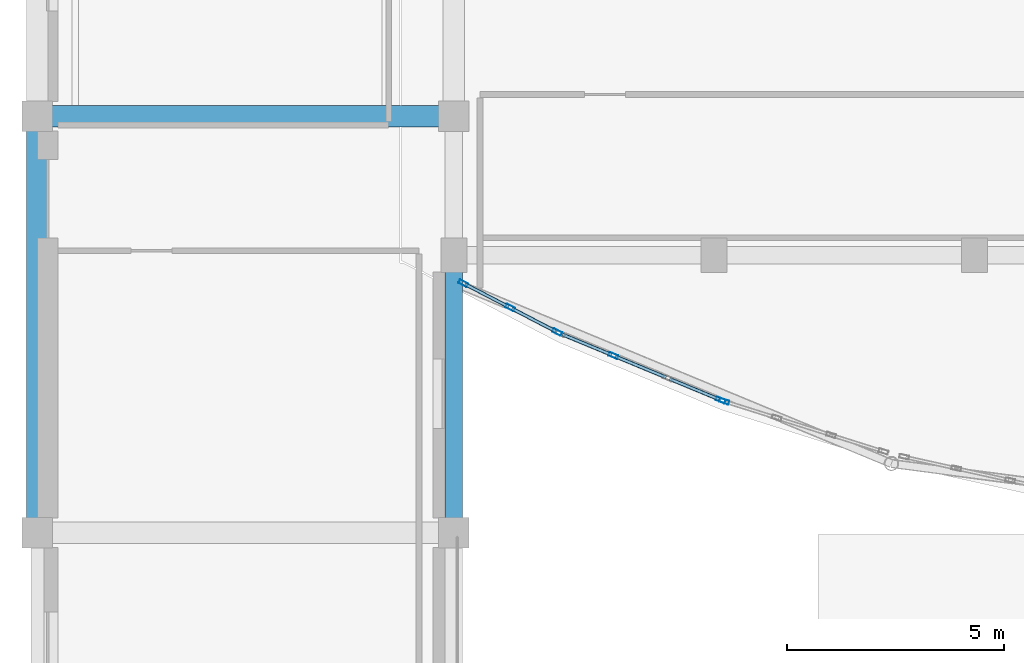
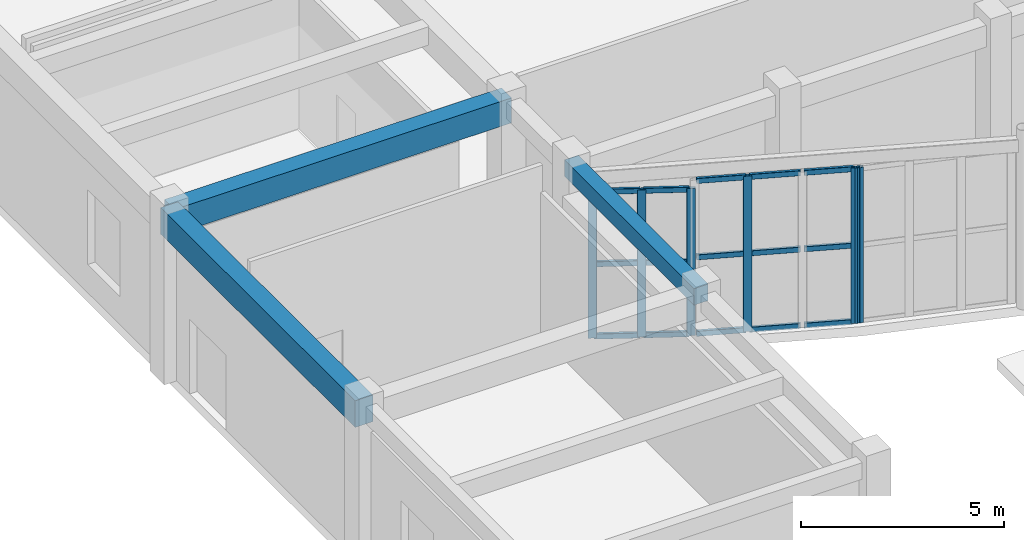
# One storey, part 8 of 98: 21 members, 3 beams, 3 elements without a shape of their own.
"""IFC4 building model written with IfcOpenShell, lengths in metres."""

from ifc_helpers import new_model, si_unit, direction, frame, origin, origin_2d, place, context, subcontext, project, spatial, rectangle, hollow_rectangle, extrude, material, layer, layer_set, material_profile, profile_set, type_object, element, aggregate, save


model = new_model("IFC4")

# Units and contexts
model_context = context("Model", 3, precision=1e-05, world=origin(), true_north=direction((0.0, 1.0)))
body_context = subcontext(model_context, "Body", "Model", "MODEL_VIEW")
ifc_project = project(units=[si_unit("LENGTHUNIT", "METRE"), si_unit("AREAUNIT", "SQUARE_METRE"), si_unit("VOLUMEUNIT", "CUBIC_METRE"), si_unit("PLANEANGLEUNIT", "RADIAN"), si_unit("MASSUNIT", "GRAM", prefix="KILO")], contexts=[model_context])

# Site, building, storey
site_placement = place(None, origin())
site = spatial("IfcSite", under=ifc_project, at=site_placement, CompositionType="ELEMENT")
building_placement = place(site_placement, origin())
building = spatial("IfcBuilding", under=site, at=building_placement, Name="Tarnavel Promenade Courthouse", CompositionType="ELEMENT")
storey_placement = place(building_placement, origin())
storey = spatial("IfcBuildingStorey", under=building, at=storey_placement, Name="L01", CompositionType="ELEMENT", Elevation=0.0)

# Beams
ifc_material_1 = material(Name="Concrete C40/50", Category="concrete")
ifc_material_profile_1 = material_profile(ifc_material_1, rectangle(XDim=0.5, YDim=0.800048828125, at=origin_2d()), Name="PT 500x800")
ifc_profile_set_1 = profile_set([ifc_material_profile_1], Name="Concrete C40/50")
beam_type_1 = type_object("IfcBeamType", Name="Concrete C40/50 BM-PT-500x800 (PT 500x800)", PredefinedType="T_BEAM", material=ifc_profile_set_1)
beam_1_placement = place(storey_placement, frame((0.0, 8.39990234375, 4.695068359375), z_axis=(0.0, 1.0, 0.0), x_axis=(-1.0, 0.0, 0.0)))
element("IfcBeam", 1, at=beam_1_placement, inside=storey, type_object=beam_type_1, Name="L01 Transverse Girder 0736", PredefinedType="T_BEAM", context=body_context, shape_type="SweptSolid", body=[
    extrude(rectangle(XDim=0.5, YDim=0.800048828125, at=origin_2d()), origin(), (0.0, 0.0, 1.0), 9.60009765625),
])
ifc_material_profile_2 = material_profile(ifc_material_1, rectangle(XDim=0.39990234375, YDim=0.5, at=origin_2d()), Name="RC 400x500")
ifc_profile_set_2 = profile_set([ifc_material_profile_2], Name="Concrete C40/50")
beam_type_2 = type_object("IfcBeamType", Name="Concrete C40/50 BM-RC-400x500 (RC 400x500)", PredefinedType="BEAM", material=ifc_profile_set_2)
beam_2_placement = place(storey_placement, frame((9.60009765625, 8.39990234375, 4.844970703125), z_axis=(0.0, 1.0, 0.0), x_axis=(-1.0, 0.0, 0.0)))
element("IfcBeam", 2, at=beam_2_placement, inside=storey, type_object=beam_type_2, Name="L01 Transverse Girder 0747", PredefinedType="BEAM", context=body_context, shape_type="SweptSolid", body=[
    extrude(rectangle(XDim=0.39990234375, YDim=0.5, at=origin_2d()), origin(), (0.0, 0.0, 1.0), 6.400146484375),
])
ifc_material_profile_3 = material_profile(ifc_material_1, rectangle(XDim=0.5, YDim=0.75, at=origin_2d()), Name="RC 500x750")
ifc_profile_set_3 = profile_set([ifc_material_profile_3], Name="Concrete C40/50")
beam_type_3 = type_object("IfcBeamType", Name="Concrete C40/50 BM-RC-500x750 (RC 500x750)", PredefinedType="T_BEAM", material=ifc_profile_set_3)
beam_3_placement = place(storey_placement, frame((0.0, 18.0, 4.719970703125), z_axis=(1.0, 0.0, 0.0), x_axis=(0.0, 1.0, 0.0)))
element("IfcBeam", 3, at=beam_3_placement, inside=storey, type_object=beam_type_3, Name="L01 Primary Longitudinal Beam 0587", PredefinedType="T_BEAM", context=body_context, shape_type="SweptSolid", body=[
    extrude(rectangle(XDim=0.5, YDim=0.75, at=origin_2d()), origin(), (0.0, 0.0, 1.0), 9.60009765625),
])

# Curtain wall, members
ifc_material_2 = material(Name="Thermally Broken Anodised Aluminium Curtain Wall System", Category="aluminium")
ifc_layer = layer(ifc_material_2, 0.219970703125)
ifc_layer_set = layer_set([ifc_layer], Name="Thermally Broken Anodised Aluminium Curtain Wall System")
curtain_wall_type = type_object("IfcCurtainWallType", Name="Thermally Broken Aluminium Triple-Glazed Curtain Wall CW-DRUM", PredefinedType="NOTDEFINED", material=ifc_layer_set)
curtain_wall_1_placement = place(storey_placement, origin())
curtain_wall_1 = element("IfcCurtainWall", 4, at=curtain_wall_1_placement, inside=storey, type_object=curtain_wall_type, Name="L01 Public Hall Drum Curtain Wall 001", PredefinedType="NOTDEFINED")
ifc_material_3 = material(Name="Thermally Broken Anodised Aluminium Frame", Category="aluminium")
ifc_material_profile_4 = material_profile(ifc_material_3, hollow_rectangle(XDim=0.090087890625, YDim=0.219970703125, WallThickness=0.0048828125, InnerFilletRadius=0.0048828125, OuterFilletRadius=0.010009765625, at=origin_2d()), Name="CWM 220x90x5")
ifc_profile_set_4 = profile_set([ifc_material_profile_4], Name="Thermally Broken Anodised Aluminium Frame")
member_type_1 = type_object("IfcMemberType", Name="Thermally Broken Anodised Aluminium CWM-175 (CWM 220x90x5)", PredefinedType="MULLION", material=ifc_profile_set_4)
member_1_placement = place(storey_placement, frame((9.820068359375, 14.15087890625, 0.0), z_axis=(0.0, 0.0, 1.0), x_axis=(0.46174807619, 0.887011112746, 0.0)))
member_1 = element("IfcMember", 5, at=member_1_placement, type_object=member_type_1, Name="CW-01 mullion 1", PredefinedType="MULLION", context=body_context, shape_type="SweptSolid", body=[
    extrude(hollow_rectangle(XDim=0.090087890625, YDim=0.219970703125, WallThickness=0.0048828125, InnerFilletRadius=0.0048828125, OuterFilletRadius=0.010009765625, at=origin_2d()), origin(), (0.0, 0.0, 1.0), 4.429931640625),
])
member_2_placement = place(storey_placement, frame((10.90087890625, 13.588134765625, 0.0), z_axis=(0.0, 0.0, 1.0), x_axis=(0.46174807619, 0.887011112746, 0.0)))
member_2 = element("IfcMember", 6, at=member_2_placement, type_object=member_type_1, Name="CW-01 mullion 2", PredefinedType="MULLION", context=body_context, shape_type="SweptSolid", body=[
    extrude(hollow_rectangle(XDim=0.090087890625, YDim=0.219970703125, WallThickness=0.0048828125, InnerFilletRadius=0.0048828125, OuterFilletRadius=0.010009765625, at=origin_2d()), origin(), (0.0, 0.0, 1.0), 4.429931640625),
])
member_3_placement = place(storey_placement, frame((11.9814453125, 13.025634765625, 0.0), z_axis=(0.0, 0.0, 1.0), x_axis=(0.46174807619, 0.887011112746, 0.0)))
member_3 = element("IfcMember", 7, at=member_3_placement, type_object=member_type_1, Name="CW-01 mullion 3", PredefinedType="MULLION", context=body_context, shape_type="SweptSolid", body=[
    extrude(hollow_rectangle(XDim=0.090087890625, YDim=0.219970703125, WallThickness=0.0048828125, InnerFilletRadius=0.0048828125, OuterFilletRadius=0.010009765625, at=origin_2d()), origin(), (0.0, 0.0, 1.0), 4.429931640625),
])

curtain_wall_2_placement = place(storey_placement, origin())
curtain_wall_2 = element("IfcCurtainWall", 8, at=curtain_wall_2_placement, inside=storey, type_object=curtain_wall_type, Name="L01 Public Hall Drum Curtain Wall 002", PredefinedType="NOTDEFINED")
member_4_placement = place(storey_placement, frame((13.27880859375, 12.48388671875, 0.0), z_axis=(0.0, 0.0, 1.0), x_axis=(0.382684779296, 0.923878974593, 0.0)))
member_4 = element("IfcMember", 9, at=member_4_placement, type_object=member_type_1, Name="CW-01 mullion 2", PredefinedType="MULLION", context=body_context, shape_type="SweptSolid", body=[
    extrude(hollow_rectangle(XDim=0.090087890625, YDim=0.219970703125, WallThickness=0.0048828125, InnerFilletRadius=0.0048828125, OuterFilletRadius=0.010009765625, at=origin_2d()), origin(), (0.0, 0.0, 1.0), 4.679931640625),
])
member_5_placement = place(storey_placement, frame((15.751953125, 11.459716796875, 0.0), z_axis=(0.0, 0.0, 1.0), x_axis=(0.382684779296, 0.923878974593, 0.0)))
member_5 = element("IfcMember", 10, at=member_5_placement, type_object=member_type_1, Name="CW-01 mullion 4", PredefinedType="MULLION", context=body_context, shape_type="SweptSolid", body=[
    extrude(hollow_rectangle(XDim=0.090087890625, YDim=0.219970703125, WallThickness=0.0048828125, InnerFilletRadius=0.0048828125, OuterFilletRadius=0.010009765625, at=origin_2d()), origin(), (0.0, 0.0, 1.0), 4.679931640625),
])

# Curtain wall, member
curtain_wall_3_placement = place(storey_placement, origin())
curtain_wall_3 = element("IfcCurtainWall", 11, at=curtain_wall_3_placement, inside=storey, type_object=curtain_wall_type, Name="L01 Public Hall Drum Curtain Wall 003", PredefinedType="NOTDEFINED")
member_6_placement = place(storey_placement, frame((15.83642578125, 11.428955078125, 0.0), z_axis=(0.0, 0.0, 1.0), x_axis=(0.300704046766, 0.953717503383, 0.0)))
member_6 = element("IfcMember", 12, at=member_6_placement, type_object=member_type_1, Name="CW-01 mullion 1", PredefinedType="MULLION", context=body_context, shape_type="SweptSolid", body=[
    extrude(hollow_rectangle(XDim=0.090087890625, YDim=0.219970703125, WallThickness=0.0048828125, InnerFilletRadius=0.0048828125, OuterFilletRadius=0.010009765625, at=origin_2d()), origin(), (0.0, 0.0, 1.0), 4.679931640625),
])
aggregate(curtain_wall_3, [member_6])

# Member
ifc_material_profile_5 = material_profile(ifc_material_3, hollow_rectangle(XDim=0.080078125, YDim=0.159912109375, WallThickness=0.0048828125, InnerFilletRadius=0.0048828125, OuterFilletRadius=0.010009765625, at=origin_2d()), Name="CWT 160x80x5")
ifc_profile_set_5 = profile_set([ifc_material_profile_5], Name="Thermally Broken Anodised Aluminium Frame")
member_type_2 = type_object("IfcMemberType", Name="Thermally Broken Anodised Aluminium CWT-145 (CWT 160x80x5)", PredefinedType="USERDEFINED", material=ifc_profile_set_5)
member_7_placement = place(storey_placement, frame((9.860107421875, 14.1298828125, 0.0400390625), z_axis=(0.886993491374, -0.461781925004, 0.0), x_axis=(0.461781925004, 0.886993491374, 0.0)))
member_7 = element("IfcMember", 13, at=member_7_placement, type_object=member_type_2, Name="CW-01 transom 1.1", ObjectType="TRANSOM", PredefinedType="USERDEFINED", context=body_context, shape_type="SweptSolid", body=[
    extrude(hollow_rectangle(XDim=0.080078125, YDim=0.159912109375, WallThickness=0.0048828125, InnerFilletRadius=0.0048828125, OuterFilletRadius=0.010009765625, at=origin_2d()), origin(), (0.0, 0.0, 1.0), 1.128173828125),
])

member_8_placement = place(storey_placement, frame((9.860107421875, 14.1298828125, 2.215087890625), z_axis=(0.886993491374, -0.461781925004, 0.0), x_axis=(0.461781925004, 0.886993491374, 0.0)))
member_8 = element("IfcMember", 14, at=member_8_placement, type_object=member_type_2, Name="CW-01 transom 1.2", ObjectType="TRANSOM", PredefinedType="USERDEFINED", context=body_context, shape_type="SweptSolid", body=[
    extrude(hollow_rectangle(XDim=0.080078125, YDim=0.159912109375, WallThickness=0.0048828125, InnerFilletRadius=0.0048828125, OuterFilletRadius=0.010009765625, at=origin_2d()), origin(), (0.0, 0.0, 1.0), 1.128173828125),
])

member_9_placement = place(storey_placement, frame((9.860107421875, 14.1298828125, 4.389892578125), z_axis=(0.886993491374, -0.461781925004, 0.0), x_axis=(0.461781925004, 0.886993491374, 0.0)))
member_9 = element("IfcMember", 15, at=member_9_placement, type_object=member_type_2, Name="CW-01 transom 1.3", ObjectType="TRANSOM", PredefinedType="USERDEFINED", context=body_context, shape_type="SweptSolid", body=[
    extrude(hollow_rectangle(XDim=0.080078125, YDim=0.159912109375, WallThickness=0.0048828125, InnerFilletRadius=0.0048828125, OuterFilletRadius=0.010009765625, at=origin_2d()), origin(), (0.0, 0.0, 1.0), 1.128173828125),
])

member_10_placement = place(storey_placement, frame((10.940673828125, 13.5673828125, 0.0400390625), z_axis=(0.887039622212, -0.461693305805, 0.0), x_axis=(0.461693305805, 0.887039622212, 0.0)))
member_10 = element("IfcMember", 16, at=member_10_placement, type_object=member_type_2, Name="CW-01 transom 2.1", ObjectType="TRANSOM", PredefinedType="USERDEFINED", context=body_context, shape_type="SweptSolid", body=[
    extrude(hollow_rectangle(XDim=0.080078125, YDim=0.159912109375, WallThickness=0.0048828125, InnerFilletRadius=0.0048828125, OuterFilletRadius=0.010009765625, at=origin_2d()), origin(), (0.0, 0.0, 1.0), 1.12841796875),
])

member_11_placement = place(storey_placement, frame((10.940673828125, 13.5673828125, 2.215087890625), z_axis=(0.887039622212, -0.461693305805, 0.0), x_axis=(0.461693305805, 0.887039622212, 0.0)))
member_11 = element("IfcMember", 17, at=member_11_placement, type_object=member_type_2, Name="CW-01 transom 2.2", ObjectType="TRANSOM", PredefinedType="USERDEFINED", context=body_context, shape_type="SweptSolid", body=[
    extrude(hollow_rectangle(XDim=0.080078125, YDim=0.159912109375, WallThickness=0.0048828125, InnerFilletRadius=0.0048828125, OuterFilletRadius=0.010009765625, at=origin_2d()), origin(), (0.0, 0.0, 1.0), 1.12841796875),
])

member_12_placement = place(storey_placement, frame((10.940673828125, 13.5673828125, 4.389892578125), z_axis=(0.887039622212, -0.461693305805, 0.0), x_axis=(0.461693305805, 0.887039622212, 0.0)))
member_12 = element("IfcMember", 18, at=member_12_placement, type_object=member_type_2, Name="CW-01 transom 2.3", ObjectType="TRANSOM", PredefinedType="USERDEFINED", context=body_context, shape_type="SweptSolid", body=[
    extrude(hollow_rectangle(XDim=0.080078125, YDim=0.159912109375, WallThickness=0.0048828125, InnerFilletRadius=0.0048828125, OuterFilletRadius=0.010009765625, at=origin_2d()), origin(), (0.0, 0.0, 1.0), 1.12841796875),
])

aggregate(curtain_wall_1, [member_1, member_2, member_3, member_7, member_8, member_9, member_10, member_11, member_12])

member_13_placement = place(storey_placement, frame((12.1044921875, 12.970458984375, 0.0400390625), z_axis=(0.923876078078, -0.382691771997, 0.0), x_axis=(0.382691771997, 0.923876078078, 0.0)))
member_13 = element("IfcMember", 19, at=member_13_placement, type_object=member_type_2, Name="CW-01 transom 1.1", ObjectType="TRANSOM", PredefinedType="USERDEFINED", context=body_context, shape_type="SweptSolid", body=[
    extrude(hollow_rectangle(XDim=0.080078125, YDim=0.159912109375, WallThickness=0.0048828125, InnerFilletRadius=0.0048828125, OuterFilletRadius=0.010009765625, at=origin_2d()), origin(), (0.0, 0.0, 1.0), 1.22607421875),
])

member_14_placement = place(storey_placement, frame((12.1044921875, 12.970458984375, 2.340087890625), z_axis=(0.923876078078, -0.382691771997, 0.0), x_axis=(0.382691771997, 0.923876078078, 0.0)))
member_14 = element("IfcMember", 20, at=member_14_placement, type_object=member_type_2, Name="CW-01 transom 1.2", ObjectType="TRANSOM", PredefinedType="USERDEFINED", context=body_context, shape_type="SweptSolid", body=[
    extrude(hollow_rectangle(XDim=0.080078125, YDim=0.159912109375, WallThickness=0.0048828125, InnerFilletRadius=0.0048828125, OuterFilletRadius=0.010009765625, at=origin_2d()), origin(), (0.0, 0.0, 1.0), 1.22607421875),
])

member_15_placement = place(storey_placement, frame((12.1044921875, 12.970458984375, 4.639892578125), z_axis=(0.923876078078, -0.382691771997, 0.0), x_axis=(0.382691771997, 0.923876078078, 0.0)))
member_15 = element("IfcMember", 21, at=member_15_placement, type_object=member_type_2, Name="CW-01 transom 1.3", ObjectType="TRANSOM", PredefinedType="USERDEFINED", context=body_context, shape_type="SweptSolid", body=[
    extrude(hollow_rectangle(XDim=0.080078125, YDim=0.159912109375, WallThickness=0.0048828125, InnerFilletRadius=0.0048828125, OuterFilletRadius=0.010009765625, at=origin_2d()), origin(), (0.0, 0.0, 1.0), 1.22607421875),
])

member_16_placement = place(storey_placement, frame((13.3203125, 12.466796875, 0.0400390625), z_axis=(0.923904469667, -0.382623223197, 0.0), x_axis=(0.382623223197, 0.923904469667, 0.0)))
member_16 = element("IfcMember", 22, at=member_16_placement, type_object=member_type_2, Name="CW-01 transom 2.1", ObjectType="TRANSOM", PredefinedType="USERDEFINED", context=body_context, shape_type="SweptSolid", body=[
    extrude(hollow_rectangle(XDim=0.080078125, YDim=0.159912109375, WallThickness=0.0048828125, InnerFilletRadius=0.0048828125, OuterFilletRadius=0.010009765625, at=origin_2d()), origin(), (0.0, 0.0, 1.0), 1.27099609375),
])

member_17_placement = place(storey_placement, frame((13.3203125, 12.466796875, 2.340087890625), z_axis=(0.923904469667, -0.382623223197, 0.0), x_axis=(0.382623223197, 0.923904469667, 0.0)))
member_17 = element("IfcMember", 23, at=member_17_placement, type_object=member_type_2, Name="CW-01 transom 2.2", ObjectType="TRANSOM", PredefinedType="USERDEFINED", context=body_context, shape_type="SweptSolid", body=[
    extrude(hollow_rectangle(XDim=0.080078125, YDim=0.159912109375, WallThickness=0.0048828125, InnerFilletRadius=0.0048828125, OuterFilletRadius=0.010009765625, at=origin_2d()), origin(), (0.0, 0.0, 1.0), 1.27099609375),
])

member_18_placement = place(storey_placement, frame((13.3203125, 12.466796875, 4.639892578125), z_axis=(0.923904469667, -0.382623223197, 0.0), x_axis=(0.382623223197, 0.923904469667, 0.0)))
member_18 = element("IfcMember", 24, at=member_18_placement, type_object=member_type_2, Name="CW-01 transom 2.3", ObjectType="TRANSOM", PredefinedType="USERDEFINED", context=body_context, shape_type="SweptSolid", body=[
    extrude(hollow_rectangle(XDim=0.080078125, YDim=0.159912109375, WallThickness=0.0048828125, InnerFilletRadius=0.0048828125, OuterFilletRadius=0.010009765625, at=origin_2d()), origin(), (0.0, 0.0, 1.0), 1.27099609375),
])

member_19_placement = place(storey_placement, frame((14.57763671875, 11.946044921875, 0.0400390625), z_axis=(0.923846909596, -0.382762181557, 0.0), x_axis=(0.382762181557, 0.923846909596, 0.0)))
member_19 = element("IfcMember", 25, at=member_19_placement, type_object=member_type_2, Name="CW-01 transom 3.1", ObjectType="TRANSOM", PredefinedType="USERDEFINED", context=body_context, shape_type="SweptSolid", body=[
    extrude(hollow_rectangle(XDim=0.080078125, YDim=0.159912109375, WallThickness=0.0048828125, InnerFilletRadius=0.0048828125, OuterFilletRadius=0.010009765625, at=origin_2d()), origin(), (0.0, 0.0, 1.0), 1.225830078125),
])

member_20_placement = place(storey_placement, frame((14.57763671875, 11.946044921875, 2.340087890625), z_axis=(0.923846909596, -0.382762181557, 0.0), x_axis=(0.382762181557, 0.923846909596, 0.0)))
member_20 = element("IfcMember", 26, at=member_20_placement, type_object=member_type_2, Name="CW-01 transom 3.2", ObjectType="TRANSOM", PredefinedType="USERDEFINED", context=body_context, shape_type="SweptSolid", body=[
    extrude(hollow_rectangle(XDim=0.080078125, YDim=0.159912109375, WallThickness=0.0048828125, InnerFilletRadius=0.0048828125, OuterFilletRadius=0.010009765625, at=origin_2d()), origin(), (0.0, 0.0, 1.0), 1.225830078125),
])

member_21_placement = place(storey_placement, frame((14.57763671875, 11.946044921875, 4.639892578125), z_axis=(0.923846909596, -0.382762181557, 0.0), x_axis=(0.382762181557, 0.923846909596, 0.0)))
member_21 = element("IfcMember", 27, at=member_21_placement, type_object=member_type_2, Name="CW-01 transom 3.3", ObjectType="TRANSOM", PredefinedType="USERDEFINED", context=body_context, shape_type="SweptSolid", body=[
    extrude(hollow_rectangle(XDim=0.080078125, YDim=0.159912109375, WallThickness=0.0048828125, InnerFilletRadius=0.0048828125, OuterFilletRadius=0.010009765625, at=origin_2d()), origin(), (0.0, 0.0, 1.0), 1.225830078125),
])

aggregate(curtain_wall_2, [member_4, member_5, member_13, member_14, member_15, member_16, member_17, member_18, member_19, member_20, member_21])

save(model, "model.ifc")
